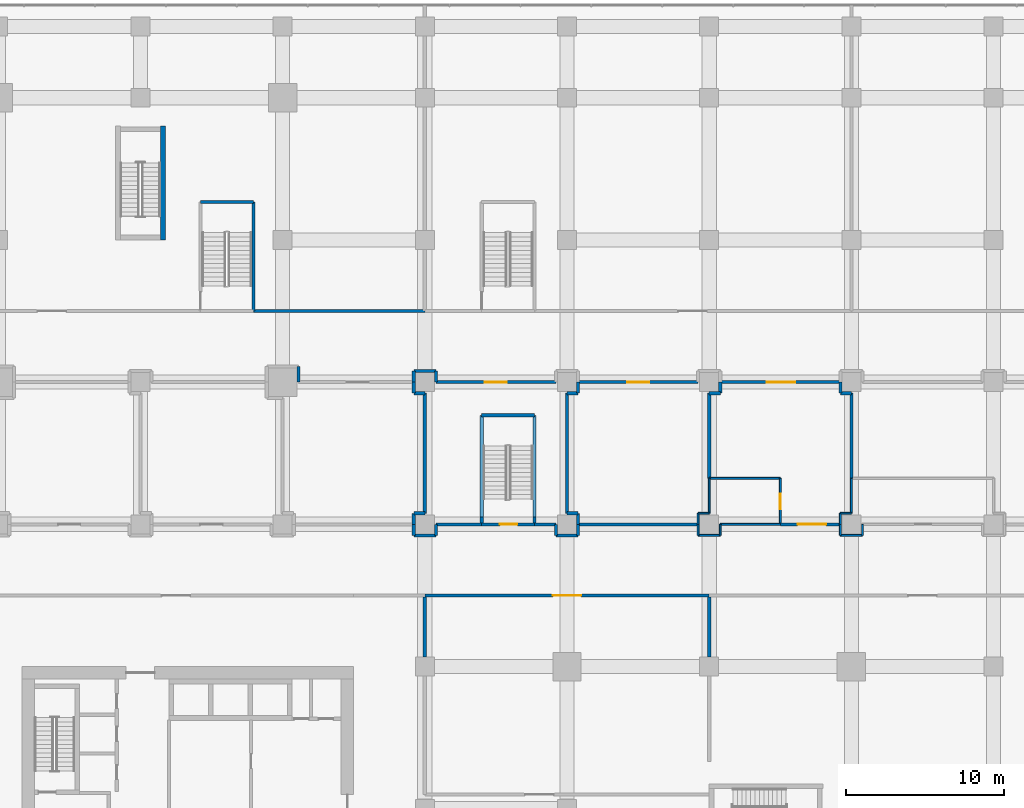
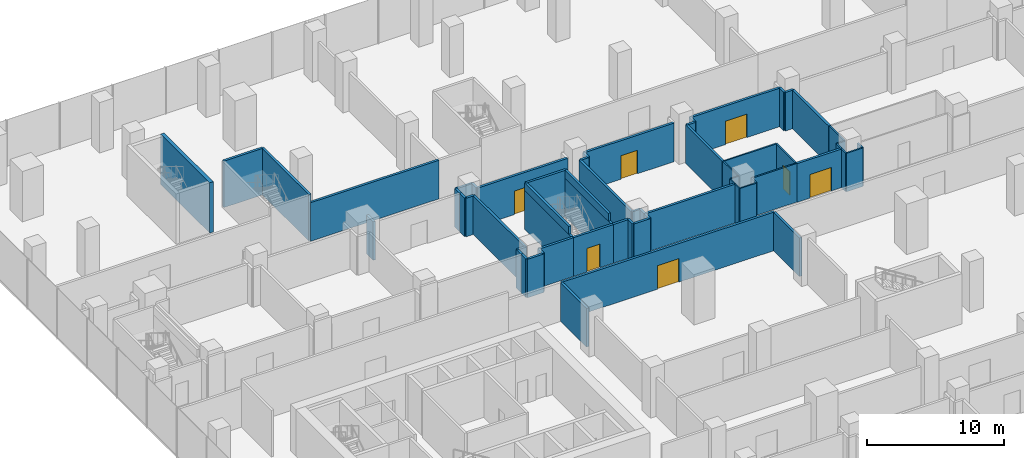
# One storey, part 32 of 43: 61 walls, 7 doors, 7 openings.
"""IFC4 building model written with IfcOpenShell, lengths in metres."""

from ifc_helpers import new_model, si_unit, direction, frame, frame_2d, origin, place, context, subcontext, project, spatial, rectangle, extrude, material, layer, layer_set, type_object, element, fill, save


model = new_model("IFC4")

# Units and contexts
model_context = context("Model", 3, precision=1e-05, world=origin(), true_north=direction((0.0, 1.0)))
body_context = subcontext(model_context, "Body", "Model", "MODEL_VIEW")
ifc_project = project(units=[si_unit("LENGTHUNIT", "METRE"), si_unit("AREAUNIT", "SQUARE_METRE"), si_unit("VOLUMEUNIT", "CUBIC_METRE"), si_unit("PLANEANGLEUNIT", "RADIAN"), si_unit("MASSUNIT", "GRAM", prefix="KILO")], contexts=[model_context])

# Site, building, storey
site_placement = place(None, origin())
site = spatial("IfcSite", under=ifc_project, at=site_placement, CompositionType="ELEMENT")
building_placement = place(site_placement, origin())
building = spatial("IfcBuilding", under=site, at=building_placement, Name="Plateau Cross Towers", CompositionType="ELEMENT")
storey_placement = place(building_placement, frame((0.0, 0.0, 12.800048828125)))
storey = spatial("IfcBuildingStorey", under=building, at=storey_placement, Name="L02", CompositionType="ELEMENT", Elevation=12.800048828125)

# Wall, opening, door
ifc_material_1 = material(Name="Gypsum board on steel studs", Category="steel")
ifc_layer_1 = layer(ifc_material_1, 0.199951171875)
ifc_layer_set_1 = layer_set([ifc_layer_1], Name="Gypsum board on steel studs")
wall_type_1 = type_object("IfcWallType", Name="Podium partition 200", PredefinedType="PARTITIONING", material=ifc_layer_set_1)
wall_1_placement = place(storey_placement, frame((45.0, 22.5, 0.0), z_axis=(0.0, 0.0, 1.0), x_axis=(-1.0, 0.0, 0.0)))
wall_1 = element("IfcWall", 1, at=wall_1_placement, inside=storey, type_object=wall_type_1, Name="Partition wall", PredefinedType="PARTITIONING", context=body_context, shape_type="SweptSolid", body=[
    extrude(rectangle(XDim=18.0, YDim=0.199951171875, at=frame_2d((9.0, 0.0))), origin(), (0.0, 0.0, 1.0), 3.449951171875),
])
opening_1_placement = place(wall_1_placement, frame((8.10009765625, 0.0, 0.0)))
opening_1 = element("IfcOpeningElement", 2, at=opening_1_placement, cuts=wall_1, Name="Opening 02-41", PredefinedType="OPENING", context=body_context, shape_type="SweptSolid", body=[
    extrude(rectangle(XDim=1.800048828125, YDim=2.10009765625, at=frame_2d((0.89990234375, 1.050048828125))), frame((0.0, 0.10986328125, 0.0), z_axis=(0.0, -1.0, 0.0), x_axis=(1.0, 0.0, 0.0)), (0.0, 0.0, 1.0), 0.219970703125),
])
ifc_material_2 = material(Name="Aluminium frame, toughened glass", Category="aluminium")
door_type_1 = type_object("IfcDoorType", Name="Podium door pair 1800", OperationType="NOTDEFINED", PredefinedType="DOOR", material=ifc_material_2)
door_1_placement = place(opening_1_placement, origin())
door_1 = element("IfcDoor", 3, at=door_1_placement, inside=storey, type_object=door_type_1, Name="Door 02-41", OperationType="DOUBLE_DOOR_SINGLE_SWING", OverallHeight=2.10009765625, OverallWidth=1.800048828125, PredefinedType="DOOR", context=body_context, shape_type="SweptSolid", body=[
    extrude(rectangle(XDim=1.800048828125, YDim=2.10009765625, at=frame_2d((0.89990234375, 1.050048828125))), frame((0.0, 0.02490234375, 0.0), z_axis=(0.0, -1.0, 0.0), x_axis=(1.0, 0.0, 0.0)), (0.0, 0.0, 1.0), 0.050048828125),
])
fill(opening_1, door_1)

wall_2_placement = place(storey_placement, frame((35.300048828125, 36.0, 0.0), z_axis=(0.0, 0.0, 1.0), x_axis=(-1.0, 0.0, 0.0)))
wall_2 = element("IfcWall", 4, at=wall_2_placement, inside=storey, type_object=wall_type_1, Name="Partition wall", PredefinedType="PARTITIONING", context=body_context, shape_type="SweptSolid", body=[
    extrude(rectangle(XDim=7.60009765625, YDim=0.199951171875, at=frame_2d((3.800048828125, 0.0))), origin(), (0.0, 0.0, 1.0), 3.449951171875),
])
opening_2_placement = place(wall_2_placement, frame((3.10009765625, 0.0, 0.0)))
opening_2 = element("IfcOpeningElement", 5, at=opening_2_placement, cuts=wall_2, Name="Opening 02-22", PredefinedType="OPENING", context=body_context, shape_type="SweptSolid", body=[
    extrude(rectangle(XDim=1.39990234375, YDim=2.10009765625, at=frame_2d((0.699951171875, 1.050048828125))), frame((0.0, 0.10986328125, 0.0), z_axis=(0.0, -1.0, 0.0), x_axis=(1.0, 0.0, 0.0)), (0.0, 0.0, 1.0), 0.219970703125),
])
ifc_material_3 = material(Name="Timber, hospital grade leaf", Category="wood")
door_type_2 = type_object("IfcDoorType", Name="Clinic bed access door 1400x2100", OperationType="NOTDEFINED", PredefinedType="DOOR", material=ifc_material_3)
door_2_placement = place(opening_2_placement, origin())
door_2 = element("IfcDoor", 6, at=door_2_placement, inside=storey, type_object=door_type_2, Name="Door 02-22", OperationType="SINGLE_SWING_LEFT", OverallHeight=2.10009765625, OverallWidth=1.39990234375, PredefinedType="DOOR", context=body_context, shape_type="SweptSolid", body=[
    extrude(rectangle(XDim=1.39990234375, YDim=2.10009765625, at=frame_2d((0.699951171875, 1.050048828125))), frame((0.0, 0.02490234375, 0.0), z_axis=(0.0, -1.0, 0.0), x_axis=(1.0, 0.0, 0.0)), (0.0, 0.0, 1.0), 0.050048828125),
])
fill(opening_2, door_2)

# Walls
wall_3_placement = place(storey_placement, frame((27.699951171875, 36.0, 0.0), z_axis=(0.0, 0.0, 1.0), x_axis=(0.0, 1.0, 0.0)))
element("IfcWall", 7, at=wall_3_placement, inside=storey, type_object=wall_type_1, Name="Partition wall", PredefinedType="PARTITIONING", context=body_context, shape_type="SweptSolid", body=[
    extrude(rectangle(XDim=0.699951171875, YDim=0.199951171875, at=frame_2d((0.35009765625, 0.0))), origin(), (0.0, 0.0, 1.0), 3.449951171875),
])
wall_4_placement = place(storey_placement, frame((27.699951171875, 36.699951171875, 0.0), z_axis=(0.0, 0.0, 1.0), x_axis=(-1.0, 0.0, 0.0)))
element("IfcWall", 8, at=wall_4_placement, inside=storey, type_object=wall_type_1, Name="Partition wall", PredefinedType="PARTITIONING", context=body_context, shape_type="SweptSolid", body=[
    extrude(rectangle(XDim=1.39990234375, YDim=0.199951171875, at=frame_2d((0.699951171875, 0.0))), origin(), (0.0, 0.0, 1.0), 3.449951171875),
])
wall_5_placement = place(storey_placement, frame((26.300048828125, 36.699951171875, 0.0), z_axis=(0.0, 0.0, 1.0), x_axis=(0.0, -1.0, 0.0)))
element("IfcWall", 9, at=wall_5_placement, inside=storey, type_object=wall_type_1, Name="Partition wall", PredefinedType="PARTITIONING", context=body_context, shape_type="SweptSolid", body=[
    extrude(rectangle(XDim=0.699951171875, YDim=0.199951171875, at=frame_2d((0.35009765625, 0.0))), origin(), (0.0, 0.0, 1.0), 3.449951171875),
])
wall_6_placement = place(storey_placement, frame((27.0, 22.39990234375, 0.0), z_axis=(0.0, 0.0, 1.0), x_axis=(0.0, -1.0, 0.0)))
element("IfcWall", 10, at=wall_6_placement, inside=storey, type_object=wall_type_1, Name="Partition wall", PredefinedType="PARTITIONING", context=body_context, shape_type="SweptSolid", body=[
    extrude(rectangle(XDim=3.7998046875, YDim=0.199951171875, at=frame_2d((1.89990234375, 0.0))), origin(), (0.0, 0.0, 1.0), 3.449951171875),
])
wall_7_placement = place(storey_placement, frame((19.0, 36.0, 0.0), z_axis=(0.0, 0.0, 1.0), x_axis=(0.0, 1.0, 0.0)))
element("IfcWall", 11, at=wall_7_placement, inside=storey, type_object=wall_type_1, Name="Partition wall", PredefinedType="PARTITIONING", context=body_context, shape_type="SweptSolid", body=[
    extrude(rectangle(XDim=1.0, YDim=0.199951171875, at=frame_2d((0.5, 0.0))), origin(), (0.0, 0.0, 1.0), 3.449951171875),
])
wall_8_placement = place(storey_placement, frame((16.14990234375, 40.5, 0.0), z_axis=(0.0, 0.0, 1.0), x_axis=(1.0, 0.0, 0.0)))
element("IfcWall", 12, at=wall_8_placement, inside=storey, type_object=wall_type_1, Name="Partition wall", PredefinedType="PARTITIONING", context=body_context, shape_type="SweptSolid", body=[
    extrude(rectangle(XDim=10.85009765625, YDim=0.199951171875, at=frame_2d((5.425048828125, 0.0))), origin(), (0.0, 0.0, 1.0), 3.449951171875),
])
wall_9_placement = place(storey_placement, frame((45.0, 22.39990234375, 0.0), z_axis=(0.0, 0.0, 1.0), x_axis=(0.0, -1.0, 0.0)))
element("IfcWall", 13, at=wall_9_placement, inside=storey, type_object=wall_type_1, Name="Partition wall", PredefinedType="PARTITIONING", context=body_context, shape_type="SweptSolid", body=[
    extrude(rectangle(XDim=3.7998046875, YDim=0.199951171875, at=frame_2d((1.89990234375, 0.0))), origin(), (0.0, 0.0, 1.0), 3.449951171875),
])

# Wall, opening, door
wall_10_placement = place(storey_placement, frame((44.300048828125, 36.0, 0.0), z_axis=(0.0, 0.0, 1.0), x_axis=(-1.0, 0.0, 0.0)))
wall_10 = element("IfcWall", 14, at=wall_10_placement, inside=storey, type_object=wall_type_1, Name="Partition wall", PredefinedType="PARTITIONING", context=body_context, shape_type="SweptSolid", body=[
    extrude(rectangle(XDim=7.60009765625, YDim=0.199951171875, at=frame_2d((3.800048828125, 0.0))), origin(), (0.0, 0.0, 1.0), 3.449951171875),
])
opening_3_placement = place(wall_10_placement, frame((3.10009765625, 0.0, 0.0)))
opening_3 = element("IfcOpeningElement", 15, at=opening_3_placement, cuts=wall_10, Name="Opening 02-23", PredefinedType="OPENING", context=body_context, shape_type="SweptSolid", body=[
    extrude(rectangle(XDim=1.39990234375, YDim=2.10009765625, at=frame_2d((0.699951171875, 1.050048828125))), frame((0.0, 0.10986328125, 0.0), z_axis=(0.0, -1.0, 0.0), x_axis=(1.0, 0.0, 0.0)), (0.0, 0.0, 1.0), 0.219970703125),
])
door_3_placement = place(opening_3_placement, origin())
door_3 = element("IfcDoor", 16, at=door_3_placement, inside=storey, type_object=door_type_2, Name="Door 02-23", OperationType="SINGLE_SWING_LEFT", OverallHeight=2.10009765625, OverallWidth=1.39990234375, PredefinedType="DOOR", context=body_context, shape_type="SweptSolid", body=[
    extrude(rectangle(XDim=1.39990234375, YDim=2.10009765625, at=frame_2d((0.699951171875, 1.050048828125))), frame((0.0, 0.02490234375, 0.0), z_axis=(0.0, -1.0, 0.0), x_axis=(1.0, 0.0, 0.0)), (0.0, 0.0, 1.0), 0.050048828125),
])
fill(opening_3, door_3)

# Walls
for number, where, z_axis, x_axis, name in (
    (17, (26.300048828125, 36.0, 0.0), (0.0, 0.0, 1.0), (0.0, -1.0, 0.0), "Partition wall"),
    (18, (26.300048828125, 35.300048828125, 0.0), (0.0, 0.0, 1.0), (1.0, 0.0, 0.0), "Partition wall"),
):
    element("IfcWall", number, at=place(storey_placement, frame(where, z_axis=z_axis, x_axis=x_axis)), inside=storey, type_object=wall_type_1, Name=name, PredefinedType="PARTITIONING", context=body_context, shape_type="SweptSolid", body=[
        extrude(rectangle(XDim=0.699951171875, YDim=0.199951171875, at=frame_2d((0.35009765625, 0.0))), origin(), (0.0, 0.0, 1.0), 3.449951171875),
    ])
wall_11_placement = place(storey_placement, frame((27.0, 35.300048828125, 0.0), z_axis=(0.0, 0.0, 1.0), x_axis=(0.0, -1.0, 0.0)))
element("IfcWall", 19, at=wall_11_placement, inside=storey, type_object=wall_type_1, Name="Partition wall", PredefinedType="PARTITIONING", context=body_context, shape_type="SweptSolid", body=[
    extrude(rectangle(XDim=7.60009765625, YDim=0.199951171875, at=frame_2d((3.800048828125, 0.0))), origin(), (0.0, 0.0, 1.0), 3.449951171875),
])
for number, where, z_axis, x_axis, name in (
    (20, (27.0, 27.699951171875, 0.0), (0.0, 0.0, 1.0), (-1.0, 0.0, 0.0), "Partition wall"),
    (21, (26.300048828125, 27.699951171875, 0.0), (0.0, 0.0, 1.0), (0.0, -1.0, 0.0), "Partition wall"),
    (22, (36.699951171875, 36.0, 0.0), (0.0, 0.0, 1.0), (0.0, -1.0, 0.0), "Partition wall"),
    (23, (36.699951171875, 35.300048828125, 0.0), (0.0, 0.0, 1.0), (-1.0, 0.0, 0.0), "Partition wall"),
):
    element("IfcWall", number, at=place(storey_placement, frame(where, z_axis=z_axis, x_axis=x_axis)), inside=storey, type_object=wall_type_1, Name=name, PredefinedType="PARTITIONING", context=body_context, shape_type="SweptSolid", body=[
        extrude(rectangle(XDim=0.699951171875, YDim=0.199951171875, at=frame_2d((0.35009765625, 0.0))), origin(), (0.0, 0.0, 1.0), 3.449951171875),
    ])
wall_12_placement = place(storey_placement, frame((36.0, 35.300048828125, 0.0), z_axis=(0.0, 0.0, 1.0), x_axis=(0.0, -1.0, 0.0)))
element("IfcWall", 24, at=wall_12_placement, inside=storey, type_object=wall_type_1, Name="Partition wall", PredefinedType="PARTITIONING", context=body_context, shape_type="SweptSolid", body=[
    extrude(rectangle(XDim=7.60009765625, YDim=0.199951171875, at=frame_2d((3.800048828125, 0.0))), origin(), (0.0, 0.0, 1.0), 3.449951171875),
])
for number, where, z_axis, x_axis, name in (
    (25, (36.0, 27.699951171875, 0.0), (0.0, 0.0, 1.0), (1.0, 0.0, 0.0), "Partition wall"),
    (26, (36.699951171875, 27.699951171875, 0.0), (0.0, 0.0, 1.0), (0.0, -1.0, 0.0), "Partition wall"),
):
    element("IfcWall", number, at=place(storey_placement, frame(where, z_axis=z_axis, x_axis=x_axis)), inside=storey, type_object=wall_type_1, Name=name, PredefinedType="PARTITIONING", context=body_context, shape_type="SweptSolid", body=[
        extrude(rectangle(XDim=0.699951171875, YDim=0.199951171875, at=frame_2d((0.35009765625, 0.0))), origin(), (0.0, 0.0, 1.0), 3.449951171875),
    ])

# Wall, opening, door
wall_13_placement = place(storey_placement, frame((53.300048828125, 36.0, 0.0), z_axis=(0.0, 0.0, 1.0), x_axis=(-1.0, 0.0, 0.0)))
wall_13 = element("IfcWall", 27, at=wall_13_placement, inside=storey, type_object=wall_type_1, Name="Partition wall", PredefinedType="PARTITIONING", context=body_context, shape_type="SweptSolid", body=[
    extrude(rectangle(XDim=7.60009765625, YDim=0.199951171875, at=frame_2d((3.800048828125, 0.0))), origin(), (0.0, 0.0, 1.0), 3.449951171875),
])
opening_4_placement = place(wall_13_placement, frame((2.85009765625, 0.0, 0.0)))
opening_4 = element("IfcOpeningElement", 28, at=opening_4_placement, cuts=wall_13, Name="Opening 02-44", PredefinedType="OPENING", context=body_context, shape_type="SweptSolid", body=[
    extrude(rectangle(XDim=1.800048828125, YDim=2.10009765625, at=frame_2d((0.89990234375, 1.050048828125))), frame((0.0, 0.10986328125, 0.0), z_axis=(0.0, -1.0, 0.0), x_axis=(1.0, 0.0, 0.0)), (0.0, 0.0, 1.0), 0.219970703125),
])
door_4_placement = place(opening_4_placement, origin())
door_4 = element("IfcDoor", 29, at=door_4_placement, inside=storey, type_object=door_type_1, Name="Door 02-44", OperationType="DOUBLE_DOOR_SINGLE_SWING", OverallHeight=2.10009765625, OverallWidth=1.800048828125, PredefinedType="DOOR", context=body_context, shape_type="SweptSolid", body=[
    extrude(rectangle(XDim=1.800048828125, YDim=2.10009765625, at=frame_2d((0.89990234375, 1.050048828125))), frame((0.0, 0.02490234375, 0.0), z_axis=(0.0, -1.0, 0.0), x_axis=(1.0, 0.0, 0.0)), (0.0, 0.0, 1.0), 0.050048828125),
])
fill(opening_4, door_4)

# Walls
wall_14_placement = place(storey_placement, frame((36.699951171875, 27.0, 0.0), z_axis=(0.0, 0.0, 1.0), x_axis=(1.0, 0.0, 0.0)))
element("IfcWall", 30, at=wall_14_placement, inside=storey, type_object=wall_type_1, Name="Partition wall", PredefinedType="PARTITIONING", context=body_context, shape_type="SweptSolid", body=[
    extrude(rectangle(XDim=7.60009765625, YDim=0.199951171875, at=frame_2d((3.800048828125, 0.0))), origin(), (0.0, 0.0, 1.0), 3.449951171875),
])
wall_15_placement = place(storey_placement, frame((45.0, 29.910888671875, 0.0), z_axis=(0.0, 0.0, 1.0), x_axis=(0.0, 1.0, 0.0)))
element("IfcWall", 31, at=wall_15_placement, inside=storey, type_object=wall_type_1, Name="Partition wall", PredefinedType="PARTITIONING", context=body_context, shape_type="SweptSolid", body=[
    extrude(rectangle(XDim=5.38916015625, YDim=0.199951171875, at=frame_2d((2.694580078125, 0.0))), origin(), (0.0, 0.0, 1.0), 3.449951171875),
])
for number, where, z_axis, x_axis, name in (
    (32, (45.0, 35.300048828125, 0.0), (0.0, 0.0, 1.0), (1.0, 0.0, 0.0), "Partition wall"),
    (33, (45.699951171875, 35.300048828125, 0.0), (0.0, 0.0, 1.0), (0.0, 1.0, 0.0), "Partition wall"),
    (34, (53.300048828125, 36.0, 0.0), (0.0, 0.0, 1.0), (0.0, -1.0, 0.0), "Partition wall"),
    (35, (53.300048828125, 35.300048828125, 0.0), (0.0, 0.0, 1.0), (1.0, 0.0, 0.0), "Partition wall"),
):
    element("IfcWall", number, at=place(storey_placement, frame(where, z_axis=z_axis, x_axis=x_axis)), inside=storey, type_object=wall_type_1, Name=name, PredefinedType="PARTITIONING", context=body_context, shape_type="SweptSolid", body=[
        extrude(rectangle(XDim=0.699951171875, YDim=0.199951171875, at=frame_2d((0.35009765625, 0.0))), origin(), (0.0, 0.0, 1.0), 3.449951171875),
    ])
wall_16_placement = place(storey_placement, frame((54.0, 35.300048828125, 0.0), z_axis=(0.0, 0.0, 1.0), x_axis=(0.0, -1.0, 0.0)))
element("IfcWall", 36, at=wall_16_placement, inside=storey, type_object=wall_type_1, Name="Partition wall", PredefinedType="PARTITIONING", context=body_context, shape_type="SweptSolid", body=[
    extrude(rectangle(XDim=5.38916015625, YDim=0.199951171875, at=frame_2d((2.694580078125, 0.0))), origin(), (0.0, 0.0, 1.0), 3.449951171875),
])
wall_17_placement = place(storey_placement, frame((26.300048828125, 27.0, 0.0), z_axis=(0.0, 0.0, 1.0), x_axis=(0.0, -1.0, 0.0)))
element("IfcWall", 37, at=wall_17_placement, inside=storey, type_object=wall_type_1, Name="Partition wall", PredefinedType="PARTITIONING", context=body_context, shape_type="SweptSolid", body=[
    extrude(rectangle(XDim=0.699951171875, YDim=0.199951171875, at=frame_2d((0.35009765625, 0.0))), origin(), (0.0, 0.0, 1.0), 3.449951171875),
])
wall_18_placement = place(storey_placement, frame((26.300048828125, 26.300048828125, 0.0), z_axis=(0.0, 0.0, 1.0), x_axis=(1.0, 0.0, 0.0)))
element("IfcWall", 38, at=wall_18_placement, inside=storey, type_object=wall_type_1, Name="Partition wall", PredefinedType="PARTITIONING", context=body_context, shape_type="SweptSolid", body=[
    extrude(rectangle(XDim=1.39990234375, YDim=0.199951171875, at=frame_2d((0.699951171875, 0.0))), origin(), (0.0, 0.0, 1.0), 3.449951171875),
])
wall_19_placement = place(storey_placement, frame((27.699951171875, 26.300048828125, 0.0), z_axis=(0.0, 0.0, 1.0), x_axis=(0.0, 1.0, 0.0)))
element("IfcWall", 39, at=wall_19_placement, inside=storey, type_object=wall_type_1, Name="Partition wall", PredefinedType="PARTITIONING", context=body_context, shape_type="SweptSolid", body=[
    extrude(rectangle(XDim=0.699951171875, YDim=0.199951171875, at=frame_2d((0.35009765625, 0.0))), origin(), (0.0, 0.0, 1.0), 3.449951171875),
])
wall_20_placement = place(storey_placement, frame((27.699951171875, 27.0, 0.0), z_axis=(0.0, 0.0, 1.0), x_axis=(1.0, 0.0, 0.0)))
element("IfcWall", 40, at=wall_20_placement, inside=storey, type_object=wall_type_1, Name="Partition wall", PredefinedType="PARTITIONING", context=body_context, shape_type="SweptSolid", body=[
    extrude(rectangle(XDim=2.900146484375, YDim=0.199951171875, at=frame_2d((1.4501953125, 0.0))), origin(), (0.0, 0.0, 1.0), 3.449951171875),
])
wall_21_placement = place(storey_placement, frame((33.949951171875, 27.0, 0.0), z_axis=(0.0, 0.0, 1.0), x_axis=(1.0, 0.0, 0.0)))
element("IfcWall", 41, at=wall_21_placement, inside=storey, type_object=wall_type_1, Name="Partition wall", PredefinedType="PARTITIONING", context=body_context, shape_type="SweptSolid", body=[
    extrude(rectangle(XDim=1.35009765625, YDim=0.199951171875, at=frame_2d((0.675048828125, 0.0))), origin(), (0.0, 0.0, 1.0), 3.449951171875),
])
wall_22_placement = place(storey_placement, frame((35.300048828125, 27.0, 0.0), z_axis=(0.0, 0.0, 1.0), x_axis=(0.0, -1.0, 0.0)))
element("IfcWall", 42, at=wall_22_placement, inside=storey, type_object=wall_type_1, Name="Partition wall", PredefinedType="PARTITIONING", context=body_context, shape_type="SweptSolid", body=[
    extrude(rectangle(XDim=0.699951171875, YDim=0.199951171875, at=frame_2d((0.35009765625, 0.0))), origin(), (0.0, 0.0, 1.0), 3.449951171875),
])
wall_23_placement = place(storey_placement, frame((35.300048828125, 26.300048828125, 0.0), z_axis=(0.0, 0.0, 1.0), x_axis=(1.0, 0.0, 0.0)))
element("IfcWall", 43, at=wall_23_placement, inside=storey, type_object=wall_type_1, Name="Partition wall", PredefinedType="PARTITIONING", context=body_context, shape_type="SweptSolid", body=[
    extrude(rectangle(XDim=1.39990234375, YDim=0.199951171875, at=frame_2d((0.699951171875, 0.0))), origin(), (0.0, 0.0, 1.0), 3.449951171875),
])
wall_24_placement = place(storey_placement, frame((36.699951171875, 26.300048828125, 0.0), z_axis=(0.0, 0.0, 1.0), x_axis=(0.0, 1.0, 0.0)))
element("IfcWall", 44, at=wall_24_placement, inside=storey, type_object=wall_type_1, Name="Partition wall", PredefinedType="PARTITIONING", context=body_context, shape_type="SweptSolid", body=[
    extrude(rectangle(XDim=0.699951171875, YDim=0.199951171875, at=frame_2d((0.35009765625, 0.0))), origin(), (0.0, 0.0, 1.0), 3.449951171875),
])

# Wall, opening, door
wall_25_placement = place(storey_placement, frame((49.5, 27.0, 0.0), z_axis=(0.0, 0.0, 1.0), x_axis=(1.0, 0.0, 0.0)))
wall_25 = element("IfcWall", 45, at=wall_25_placement, inside=storey, type_object=wall_type_1, Name="Partition wall", PredefinedType="PARTITIONING", context=body_context, shape_type="SweptSolid", body=[
    extrude(rectangle(XDim=3.800048828125, YDim=0.199951171875, at=frame_2d((1.89990234375, 0.0))), origin(), (0.0, 0.0, 1.0), 3.449951171875),
])
opening_5_placement = place(wall_25_placement, frame((1.10009765625, 0.0, 0.0)))
opening_5 = element("IfcOpeningElement", 46, at=opening_5_placement, cuts=wall_25, Name="Opening 02-45", PredefinedType="OPENING", context=body_context, shape_type="SweptSolid", body=[
    extrude(rectangle(XDim=1.800048828125, YDim=2.10009765625, at=frame_2d((0.89990234375, 1.050048828125))), frame((0.0, 0.10986328125, 0.0), z_axis=(0.0, -1.0, 0.0), x_axis=(1.0, 0.0, 0.0)), (0.0, 0.0, 1.0), 0.219970703125),
])
door_5_placement = place(opening_5_placement, origin())
door_5 = element("IfcDoor", 47, at=door_5_placement, inside=storey, type_object=door_type_1, Name="Door 02-45", OperationType="DOUBLE_DOOR_SINGLE_SWING", OverallHeight=2.10009765625, OverallWidth=1.800048828125, PredefinedType="DOOR", context=body_context, shape_type="SweptSolid", body=[
    extrude(rectangle(XDim=1.800048828125, YDim=2.10009765625, at=frame_2d((0.89990234375, 1.050048828125))), frame((0.0, 0.02490234375, 0.0), z_axis=(0.0, -1.0, 0.0), x_axis=(1.0, 0.0, 0.0)), (0.0, 0.0, 1.0), 0.050048828125),
])
fill(opening_5, door_5)

# Walls
ifc_material_4 = material(Name="Fire-rated plasterboard shaft wall system")
ifc_layer_2 = layer(ifc_material_4, 0.199951171875)
ifc_layer_set_2 = layer_set([ifc_layer_2], Name="Fire-rated plasterboard shaft wall system")
wall_type_2 = type_object("IfcWallType", Name="Podium stair shaft wall 200", PredefinedType="PARTITIONING", material=ifc_layer_set_2)
wall_26_placement = place(storey_placement, frame((12.800048828125, 47.39990234375, 0.0), z_axis=(0.0, 0.0, 1.0), x_axis=(1.0, 0.0, 0.0)))
element("IfcWall", 48, at=wall_26_placement, inside=storey, type_object=wall_type_2, Name="Partition wall", PredefinedType="PARTITIONING", context=body_context, shape_type="SweptSolid", body=[
    extrude(rectangle(XDim=3.349853515625, YDim=0.199951171875, at=frame_2d((1.6748046875, 0.0))), origin(), (0.0, 0.0, 1.0), 4.14990234375),
])
wall_27_placement = place(storey_placement, frame((16.14990234375, 47.39990234375, 0.0), z_axis=(0.0, 0.0, 1.0), x_axis=(0.0, -1.0, 0.0)))
element("IfcWall", 49, at=wall_27_placement, inside=storey, type_object=wall_type_2, Name="Partition wall", PredefinedType="PARTITIONING", context=body_context, shape_type="SweptSolid", body=[
    extrude(rectangle(XDim=6.89990234375, YDim=0.199951171875, at=frame_2d((3.449951171875, 0.0))), origin(), (0.0, 0.0, 1.0), 4.14990234375),
])
wall_28_placement = place(storey_placement, frame((30.60009765625, 27.0, 0.0), z_axis=(0.0, 0.0, 1.0), x_axis=(0.0, 1.0, 0.0)))
element("IfcWall", 50, at=wall_28_placement, inside=storey, type_object=wall_type_2, Name="Partition wall", PredefinedType="PARTITIONING", context=body_context, shape_type="SweptSolid", body=[
    extrude(rectangle(XDim=6.89990234375, YDim=0.199951171875, at=frame_2d((3.449951171875, 0.0))), origin(), (0.0, 0.0, 1.0), 3.449951171875),
])
wall_29_placement = place(storey_placement, frame((30.60009765625, 33.89990234375, 0.0), z_axis=(0.0, 0.0, 1.0), x_axis=(1.0, 0.0, 0.0)))
element("IfcWall", 51, at=wall_29_placement, inside=storey, type_object=wall_type_2, Name="Partition wall", PredefinedType="PARTITIONING", context=body_context, shape_type="SweptSolid", body=[
    extrude(rectangle(XDim=3.349853515625, YDim=0.199951171875, at=frame_2d((1.6748046875, 0.0))), origin(), (0.0, 0.0, 1.0), 4.14990234375),
])
wall_30_placement = place(storey_placement, frame((33.949951171875, 33.89990234375, 0.0), z_axis=(0.0, 0.0, 1.0), x_axis=(0.0, -1.0, 0.0)))
element("IfcWall", 52, at=wall_30_placement, inside=storey, type_object=wall_type_2, Name="Partition wall", PredefinedType="PARTITIONING", context=body_context, shape_type="SweptSolid", body=[
    extrude(rectangle(XDim=6.89990234375, YDim=0.199951171875, at=frame_2d((3.449951171875, 0.0))), origin(), (0.0, 0.0, 1.0), 3.449951171875),
])

# Wall, opening, door
wall_31_placement = place(storey_placement, frame((33.949951171875, 27.0, 0.0), z_axis=(0.0, 0.0, 1.0), x_axis=(-1.0, 0.0, 0.0)))
wall_31 = element("IfcWall", 53, at=wall_31_placement, inside=storey, type_object=wall_type_2, Name="Partition wall", PredefinedType="PARTITIONING", context=body_context, shape_type="SweptSolid", body=[
    extrude(rectangle(XDim=3.349853515625, YDim=0.199951171875, at=frame_2d((1.6748046875, 0.0))), origin(), (0.0, 0.0, 1.0), 3.449951171875),
])
opening_6_placement = place(wall_31_placement, frame((1.10009765625, 0.0, 0.0)))
opening_6 = element("IfcOpeningElement", 54, at=opening_6_placement, cuts=wall_31, Name="Opening 02-01", PredefinedType="OPENING", context=body_context, shape_type="SweptSolid", body=[
    extrude(rectangle(XDim=1.10009765625, YDim=2.10009765625, at=frame_2d((0.550048828125, 1.050048828125))), frame((0.0, 0.10986328125, 0.0), z_axis=(0.0, -1.0, 0.0), x_axis=(1.0, 0.0, 0.0)), (0.0, 0.0, 1.0), 0.219970703125),
])
ifc_material_5 = material(Name="Steel, fire-resisting leaf", Category="steel")
door_type_3 = type_object("IfcDoorType", Name="Podium stair door 1100", OperationType="NOTDEFINED", PredefinedType="DOOR", material=ifc_material_5)
door_6_placement = place(opening_6_placement, origin())
door_6 = element("IfcDoor", 55, at=door_6_placement, inside=storey, type_object=door_type_3, Name="Door 02-01", OperationType="SINGLE_SWING_LEFT", OverallHeight=2.10009765625, OverallWidth=1.10009765625, PredefinedType="DOOR", context=body_context, shape_type="SweptSolid", body=[
    extrude(rectangle(XDim=1.10009765625, YDim=2.10009765625, at=frame_2d((0.550048828125, 1.050048828125))), frame((0.0, 0.02490234375, 0.0), z_axis=(0.0, -1.0, 0.0), x_axis=(1.0, 0.0, 0.0)), (0.0, 0.0, 1.0), 0.050048828125),
])
fill(opening_6, door_6)

# Walls
for number, where, z_axis, x_axis, name in (
    (56, (30.60009765625, 27.449951171875, 3.449951171875), (0.0, 0.0, 1.0), (0.0, 1.0, 0.0), "Partition wall head"),
    (57, (33.949951171875, 33.89990234375, 3.449951171875), (0.0, 0.0, 1.0), (0.0, -1.0, 0.0), "Partition wall head"),
):
    element("IfcWall", number, at=place(storey_placement, frame(where, z_axis=z_axis, x_axis=x_axis)), inside=storey, type_object=wall_type_2, Name=name, PredefinedType="PARTITIONING", context=body_context, shape_type="SweptSolid", body=[
        extrude(rectangle(XDim=6.449951171875, YDim=0.199951171875, at=frame_2d((3.22509765625, 0.0))), origin(), (0.0, 0.0, 1.0), 0.699951171875),
    ])
ifc_material_6 = material(Name="Moisture-resistant board on steel studs, tiled one side", Category="steel")
ifc_layer_3 = layer(ifc_material_6, 0.1201171875)
ifc_layer_set_3 = layer_set([ifc_layer_3], Name="Moisture-resistant board on steel studs, tiled one side")
wall_type_3 = type_object("IfcWallType", Name="Sanitary partition 120", PredefinedType="PARTITIONING", material=ifc_layer_set_3)
wall_32_placement = place(storey_placement, frame((53.300048828125, 27.0, 0.0), z_axis=(0.0, 0.0, 1.0), x_axis=(0.0, -1.0, 0.0)))
element("IfcWall", 58, at=wall_32_placement, inside=storey, type_object=wall_type_3, Name="Partition wall", PredefinedType="PARTITIONING", context=body_context, shape_type="SweptSolid", body=[
    extrude(rectangle(XDim=0.699951171875, YDim=0.1201171875, at=frame_2d((0.35009765625, 0.0))), origin(), (0.0, 0.0, 1.0), 3.449951171875),
])
wall_33_placement = place(storey_placement, frame((53.300048828125, 26.300048828125, 0.0), z_axis=(0.0, 0.0, 1.0), x_axis=(1.0, 0.0, 0.0)))
element("IfcWall", 59, at=wall_33_placement, inside=storey, type_object=wall_type_3, Name="Partition wall", PredefinedType="PARTITIONING", context=body_context, shape_type="SweptSolid", body=[
    extrude(rectangle(XDim=1.39990234375, YDim=0.1201171875, at=frame_2d((0.699951171875, 0.0))), origin(), (0.0, 0.0, 1.0), 3.449951171875),
])
for number, where, z_axis, x_axis, name in (
    (60, (54.699951171875, 26.300048828125, 0.0), (0.0, 0.0, 1.0), (0.0, 1.0, 0.0), "Partition wall"),
    (61, (44.300048828125, 27.0, 0.0), (0.0, 0.0, 1.0), (0.0, -1.0, 0.0), "Partition wall"),
):
    element("IfcWall", number, at=place(storey_placement, frame(where, z_axis=z_axis, x_axis=x_axis)), inside=storey, type_object=wall_type_3, Name=name, PredefinedType="PARTITIONING", context=body_context, shape_type="SweptSolid", body=[
        extrude(rectangle(XDim=0.699951171875, YDim=0.1201171875, at=frame_2d((0.35009765625, 0.0))), origin(), (0.0, 0.0, 1.0), 3.449951171875),
    ])
wall_34_placement = place(storey_placement, frame((44.300048828125, 26.300048828125, 0.0), z_axis=(0.0, 0.0, 1.0), x_axis=(1.0, 0.0, 0.0)))
element("IfcWall", 62, at=wall_34_placement, inside=storey, type_object=wall_type_3, Name="Partition wall", PredefinedType="PARTITIONING", context=body_context, shape_type="SweptSolid", body=[
    extrude(rectangle(XDim=1.39990234375, YDim=0.1201171875, at=frame_2d((0.699951171875, 0.0))), origin(), (0.0, 0.0, 1.0), 3.449951171875),
])
wall_35_placement = place(storey_placement, frame((45.699951171875, 26.300048828125, 0.0), z_axis=(0.0, 0.0, 1.0), x_axis=(0.0, 1.0, 0.0)))
element("IfcWall", 63, at=wall_35_placement, inside=storey, type_object=wall_type_3, Name="Partition wall", PredefinedType="PARTITIONING", context=body_context, shape_type="SweptSolid", body=[
    extrude(rectangle(XDim=0.699951171875, YDim=0.1201171875, at=frame_2d((0.35009765625, 0.0))), origin(), (0.0, 0.0, 1.0), 3.449951171875),
])
wall_36_placement = place(storey_placement, frame((45.699951171875, 27.0, 0.0), z_axis=(0.0, 0.0, 1.0), x_axis=(1.0, 0.0, 0.0)))
element("IfcWall", 64, at=wall_36_placement, inside=storey, type_object=wall_type_3, Name="Partition wall", PredefinedType="PARTITIONING", context=body_context, shape_type="SweptSolid", body=[
    extrude(rectangle(XDim=3.800048828125, YDim=0.1201171875, at=frame_2d((1.89990234375, 0.0))), origin(), (0.0, 0.0, 1.0), 3.449951171875),
])
wall_37_placement = place(storey_placement, frame((49.5, 29.910888671875, 0.0), z_axis=(0.0, 0.0, 1.0), x_axis=(-1.0, 0.0, 0.0)))
element("IfcWall", 65, at=wall_37_placement, inside=storey, type_object=wall_type_3, Name="Partition wall", PredefinedType="PARTITIONING", context=body_context, shape_type="SweptSolid", body=[
    extrude(rectangle(XDim=4.5, YDim=0.1201171875, at=frame_2d((2.25, 0.0))), origin(), (0.0, 0.0, 1.0), 3.449951171875),
])
wall_38_placement = place(storey_placement, frame((54.0, 29.910888671875, 0.0), z_axis=(0.0, 0.0, 1.0), x_axis=(0.0, -1.0, 0.0)))
element("IfcWall", 66, at=wall_38_placement, inside=storey, type_object=wall_type_3, Name="Partition wall", PredefinedType="PARTITIONING", context=body_context, shape_type="SweptSolid", body=[
    extrude(rectangle(XDim=2.2109375, YDim=0.1201171875, at=frame_2d((1.10546875, 0.0))), origin(), (0.0, 0.0, 1.0), 3.449951171875),
])
for number, where, z_axis, x_axis, name in (
    (67, (54.0, 27.699951171875, 0.0), (0.0, 0.0, 1.0), (-1.0, 0.0, 0.0), "Partition wall"),
    (68, (53.300048828125, 27.699951171875, 0.0), (0.0, 0.0, 1.0), (0.0, -1.0, 0.0), "Partition wall"),
):
    element("IfcWall", number, at=place(storey_placement, frame(where, z_axis=z_axis, x_axis=x_axis)), inside=storey, type_object=wall_type_3, Name=name, PredefinedType="PARTITIONING", context=body_context, shape_type="SweptSolid", body=[
        extrude(rectangle(XDim=0.699951171875, YDim=0.1201171875, at=frame_2d((0.35009765625, 0.0))), origin(), (0.0, 0.0, 1.0), 3.449951171875),
    ])
wall_39_placement = place(storey_placement, frame((45.0, 29.910888671875, 0.0), z_axis=(0.0, 0.0, 1.0), x_axis=(0.0, -1.0, 0.0)))
element("IfcWall", 69, at=wall_39_placement, inside=storey, type_object=wall_type_3, Name="Partition wall", PredefinedType="PARTITIONING", context=body_context, shape_type="SweptSolid", body=[
    extrude(rectangle(XDim=2.2109375, YDim=0.1201171875, at=frame_2d((1.10546875, 0.0))), origin(), (0.0, 0.0, 1.0), 3.449951171875),
])
for number, where, z_axis, x_axis, name in (
    (70, (45.0, 27.699951171875, 0.0), (0.0, 0.0, 1.0), (-1.0, 0.0, 0.0), "Partition wall"),
    (71, (44.300048828125, 27.699951171875, 0.0), (0.0, 0.0, 1.0), (0.0, -1.0, 0.0), "Partition wall"),
):
    element("IfcWall", number, at=place(storey_placement, frame(where, z_axis=z_axis, x_axis=x_axis)), inside=storey, type_object=wall_type_3, Name=name, PredefinedType="PARTITIONING", context=body_context, shape_type="SweptSolid", body=[
        extrude(rectangle(XDim=0.699951171875, YDim=0.1201171875, at=frame_2d((0.35009765625, 0.0))), origin(), (0.0, 0.0, 1.0), 3.449951171875),
    ])

# Wall, opening, door
wall_40_placement = place(storey_placement, frame((49.5, 27.10009765625, 0.0), z_axis=(0.0, 0.0, 1.0), x_axis=(0.0, 1.0, 0.0)))
wall_40 = element("IfcWall", 72, at=wall_40_placement, inside=storey, type_object=wall_type_3, Name="Partition wall", PredefinedType="PARTITIONING", context=body_context, shape_type="SweptSolid", body=[
    extrude(rectangle(XDim=2.810791015625, YDim=0.1201171875, at=frame_2d((1.4052734375, 0.0))), origin(), (0.0, 0.0, 1.0), 3.449951171875),
])
opening_7_placement = place(wall_40_placement, frame((0.85009765625, 0.0, 0.0)))
opening_7 = element("IfcOpeningElement", 73, at=opening_7_placement, cuts=wall_40, Name="Opening 02-24", PredefinedType="OPENING", context=body_context, shape_type="SweptSolid", body=[
    extrude(rectangle(XDim=1.0, YDim=2.10009765625, at=frame_2d((0.5, 1.050048828125))), frame((0.0, 0.070068359375, 0.0), z_axis=(0.0, -1.0, 0.0), x_axis=(1.0, 0.0, 0.0)), (0.0, 0.0, 1.0), 0.14013671875),
])
ifc_material_7 = material(Name="Timber leaf", Category="wood")
door_type_4 = type_object("IfcDoorType", Name="Podium clinic door 1000", OperationType="NOTDEFINED", PredefinedType="DOOR", material=ifc_material_7)
door_7_placement = place(opening_7_placement, origin())
door_7 = element("IfcDoor", 74, at=door_7_placement, inside=storey, type_object=door_type_4, Name="Door 02-24", OperationType="SINGLE_SWING_LEFT", OverallHeight=2.10009765625, OverallWidth=1.0, PredefinedType="DOOR", context=body_context, shape_type="SweptSolid", body=[
    extrude(rectangle(XDim=1.0, YDim=2.10009765625, at=frame_2d((0.5, 1.050048828125))), frame((0.0, 0.02490234375, 0.0), z_axis=(0.0, -1.0, 0.0), x_axis=(1.0, 0.0, 0.0)), (0.0, 0.0, 1.0), 0.050048828125),
])
fill(opening_7, door_7)

# Wall
ifc_material_8 = material(Name="Concrete C60/75", Category="concrete")
ifc_layer_4 = layer(ifc_material_8, 0.300048828125)
ifc_layer_set_4 = layer_set([ifc_layer_4], Name="Concrete C60/75")
wall_type_4 = type_object("IfcWallType", Name="Stair tower wall 300", PredefinedType="SHEAR", material=ifc_layer_set_4)
wall_41_placement = place(storey_placement, frame((10.425048828125, 45.0, 0.0), z_axis=(0.0, 0.0, 1.0), x_axis=(0.0, 1.0, 0.0)))
element("IfcWall", 75, at=wall_41_placement, inside=storey, type_object=wall_type_4, Name="A-end-N-E@L02", PredefinedType="SHEAR", context=body_context, shape_type="SweptSolid", body=[
    extrude(rectangle(XDim=7.199951171875, YDim=0.300048828125, at=frame_2d((3.60009765625, 0.0))), origin(), (0.0, 0.0, 1.0), 4.5),
])

save(model, "model.ifc")
